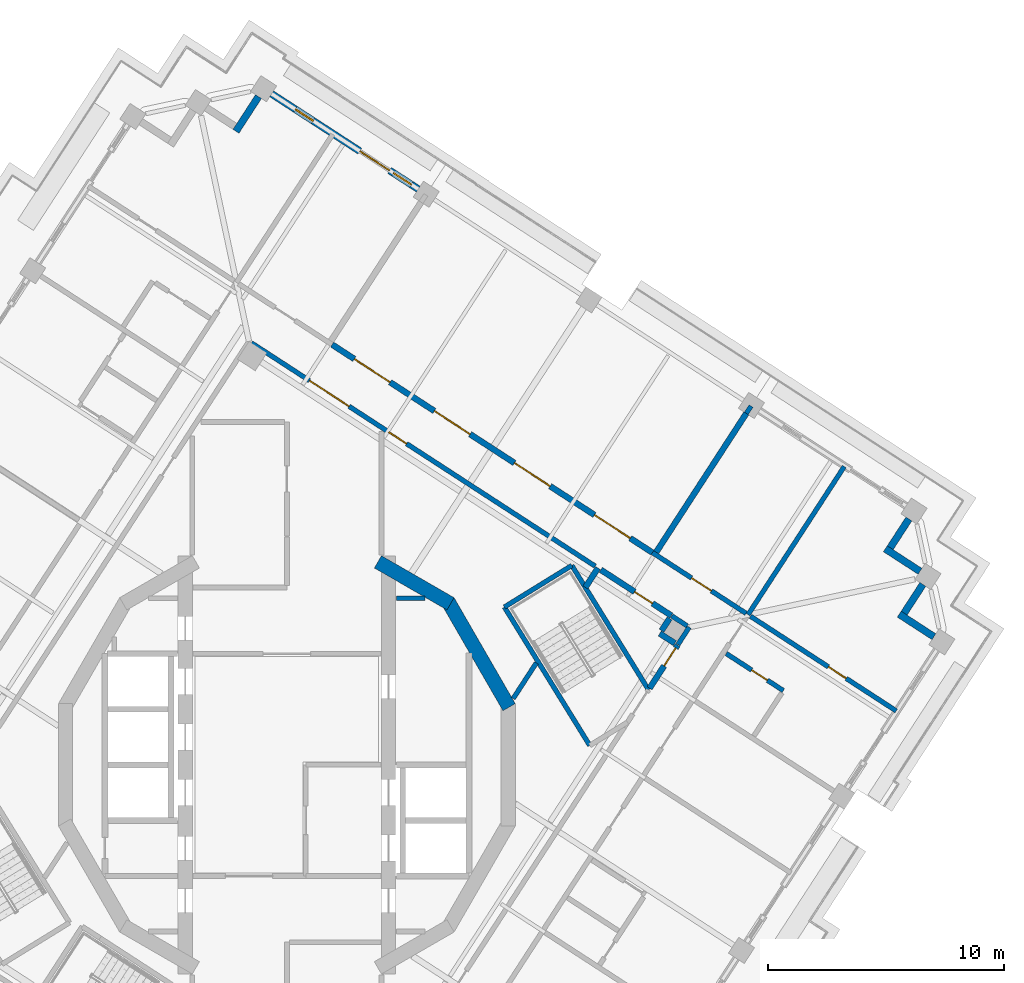
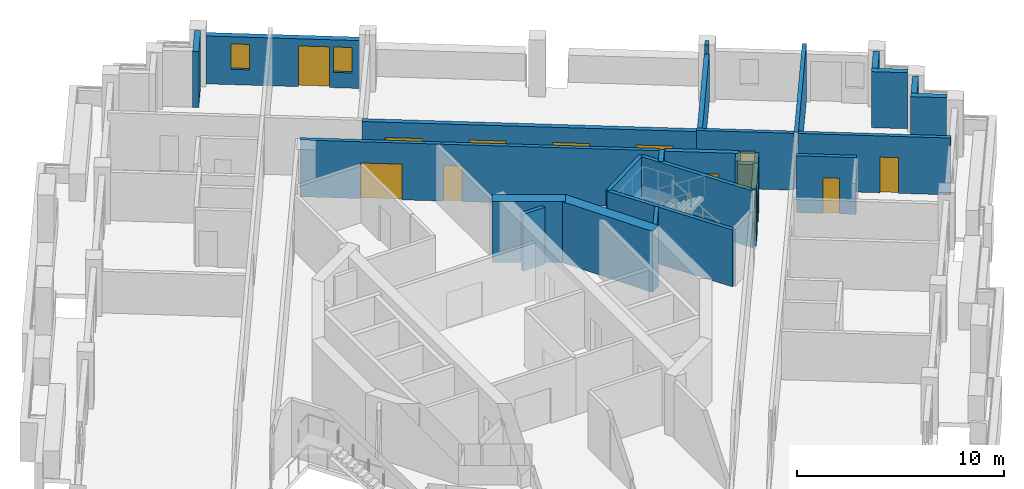
# One storey, part 9 of 15: 28 walls, 12 doors, 2 windows, 14 openings.
"""IFC4 building model written with IfcOpenShell, lengths in metres."""

from ifc_helpers import new_model, si_unit, direction, frame, frame_2d, origin, place, context, subcontext, project, spatial, rectangle, extrude, material, layer, layer_set, type_object, element, fill, save


model = new_model("IFC4")

# Units and contexts
model_context = context("Model", 3, precision=1e-05, world=origin(), true_north=direction((0.0, 1.0)))
body_context = subcontext(model_context, "Body", "Model", "MODEL_VIEW")
ifc_project = project(units=[si_unit("LENGTHUNIT", "METRE"), si_unit("AREAUNIT", "SQUARE_METRE"), si_unit("VOLUMEUNIT", "CUBIC_METRE"), si_unit("PLANEANGLEUNIT", "RADIAN"), si_unit("MASSUNIT", "GRAM", prefix="KILO")], contexts=[model_context])

# Site, building, storey
site_placement = place(None, origin())
site = spatial("IfcSite", under=ifc_project, at=site_placement, CompositionType="ELEMENT")
building_placement = place(site_placement, origin())
building = spatial("IfcBuilding", under=site, at=building_placement, Name="Cantera Rosa Tower", CompositionType="ELEMENT")
storey_placement = place(building_placement, frame((0.0, 0.0, 272.10009765625)))
storey = spatial("IfcBuildingStorey", under=building, at=storey_placement, Name="L61", CompositionType="ELEMENT", Elevation=272.10009765625)

# Wall, openings, doors
ifc_material_1 = material(Name="Gypsum board partition")
ifc_layer_1 = layer(ifc_material_1, 0.199951171875)
ifc_layer_set_1 = layer_set([ifc_layer_1], Name="CORRIDOR WALL 200 H3350")
wall_type_1 = type_object("IfcWallType", Name="CORRIDOR WALL 200 H3350", PredefinedType="PARTITIONING", material=ifc_layer_set_1)
wall_1_placement = place(storey_placement, frame((13.04052734375, 8.4033203125, 0.0), z_axis=(0.0, 0.0, 1.0), x_axis=(-0.838668077111, 0.544642870545, 0.0)))
wall_1 = element("IfcWall", 1, at=wall_1_placement, inside=storey, type_object=wall_type_1, Name="CORRIDOR WALL L61-089", PredefinedType="PARTITIONING", context=body_context, shape_type="SweptSolid", body=[
    extrude(rectangle(XDim=17.340087890625, YDim=0.199951171875, at=frame_2d((8.669921875, 0.0))), origin(), (0.0, 0.0, 1.0), 3.349853515625),
])
opening_1_placement = place(wall_1_placement, frame((9.5107421875, 0.0, 0.0)))
opening_1 = element("IfcOpeningElement", 2, at=opening_1_placement, cuts=wall_1, Name="Opening L61-007", PredefinedType="OPENING", context=body_context, shape_type="SweptSolid", body=[
    extrude(rectangle(XDim=0.89990234375, YDim=2.10009765625, at=frame_2d((0.449951171875, 1.050048828125))), frame((0.0, 0.10986328125, 0.0), z_axis=(0.0, -1.0, 0.0), x_axis=(1.0, 0.0, 0.0)), (0.0, 0.0, 1.0), 0.219970703125),
])
opening_2_placement = place(wall_1_placement, frame((12.409912109375, 0.0, 0.0)))
opening_2 = element("IfcOpeningElement", 3, at=opening_2_placement, cuts=wall_1, Name="Opening L61-008", PredefinedType="OPENING", context=body_context, shape_type="SweptSolid", body=[
    extrude(rectangle(XDim=2.0, YDim=2.10009765625, at=frame_2d((1.0, 1.050048828125))), frame((0.0, 0.10986328125, 0.0), z_axis=(0.0, -1.0, 0.0), x_axis=(1.0, 0.0, 0.0)), (0.0, 0.0, 1.0), 0.219970703125),
])
ifc_material_2 = material(Name="Steel S355J2 (EN 10025-2)", Category="steel")
door_type_1 = type_object("IfcDoorType", Name="LOBBY SCREEN DOOR 2000x2100", OperationType="NOTDEFINED", PredefinedType="DOOR", material=ifc_material_2)
door_1_placement = place(opening_2_placement, origin())
door_1 = element("IfcDoor", 4, at=door_1_placement, inside=storey, type_object=door_type_1, Name="DOOR L61-008", OperationType="NOTDEFINED", OverallHeight=2.10009765625, OverallWidth=2.0, PredefinedType="DOOR", context=body_context, shape_type="SweptSolid", body=[
    extrude(rectangle(XDim=2.0, YDim=2.10009765625, at=frame_2d((1.0, 1.050048828125))), frame((0.0, 0.02490234375, 0.0), z_axis=(0.0, -1.0, 0.0), x_axis=(1.0, 0.0, 0.0)), (0.0, 0.0, 1.0), 0.050048828125),
])
fill(opening_2, door_1)
ifc_material_3 = material(Name="Timber door leaf", Category="wood")
door_type_2 = type_object("IfcDoorType", Name="SERVICE DOOR 900x2100", OperationType="NOTDEFINED", PredefinedType="DOOR", material=ifc_material_3)
door_2_placement = place(opening_1_placement, origin())
door_2 = element("IfcDoor", 5, at=door_2_placement, inside=storey, type_object=door_type_2, Name="DOOR L61-007", OperationType="NOTDEFINED", OverallHeight=2.10009765625, OverallWidth=0.89990234375, PredefinedType="DOOR", context=body_context, shape_type="SweptSolid", body=[
    extrude(rectangle(XDim=0.89990234375, YDim=2.10009765625, at=frame_2d((0.449951171875, 1.050048828125))), frame((0.0, 0.02490234375, 0.0), z_axis=(0.0, -1.0, 0.0), x_axis=(1.0, 0.0, 0.0)), (0.0, 0.0, 1.0), 0.050048828125),
])
fill(opening_1, door_2)

# Walls
wall_2_placement = place(storey_placement, frame((16.53662109375, 5.083740234375, 0.0), z_axis=(0.0, 0.0, 1.0), x_axis=(0.544607977269, 0.838690736264, 0.0)))
element("IfcWall", 6, at=wall_2_placement, inside=storey, type_object=wall_type_1, Name="CORRIDOR WALL L61-099", PredefinedType="PARTITIONING", context=body_context, shape_type="SweptSolid", body=[
    extrude(rectangle(XDim=0.8798828125, YDim=0.199951171875, at=frame_2d((0.43994140625, 0.0))), origin(), (0.0, 0.0, 1.0), 3.349853515625),
])
wall_3_placement = place(storey_placement, frame((16.931884765625, 5.876220703125, 0.0), z_axis=(0.0, 0.0, 1.0), x_axis=(-0.838636669764, 0.544691230082, 0.0)))
element("IfcWall", 7, at=wall_3_placement, inside=storey, type_object=wall_type_1, Name="CORRIDOR WALL L61-100", PredefinedType="PARTITIONING", context=body_context, shape_type="SweptSolid", body=[
    extrude(rectangle(XDim=0.77978515625, YDim=0.199951171875, at=frame_2d((0.389892578125, 0.0))), origin(), (0.0, 0.0, 1.0), 3.349853515625),
])

# Wall, opening, door
wall_4_placement = place(storey_placement, frame((19.422119140625, 6.405517578125, 0.0), z_axis=(0.0, 0.0, 1.0), x_axis=(-0.838698511903, 0.544596002677, 0.0)))
wall_4 = element("IfcWall", 8, at=wall_4_placement, inside=storey, type_object=wall_type_1, Name="CORRIDOR WALL L61-103", PredefinedType="PARTITIONING", context=body_context, shape_type="SweptSolid", body=[
    extrude(rectangle(XDim=4.72509765625, YDim=0.199951171875, at=frame_2d((2.362548828125, 0.0))), origin(), (0.0, 0.0, 1.0), 3.349853515625),
])
opening_3_placement = place(wall_4_placement, frame((1.75, 0.0, 0.0)))
opening_3 = element("IfcOpeningElement", 9, at=opening_3_placement, cuts=wall_4, Name="Opening L61-020", PredefinedType="OPENING", context=body_context, shape_type="SweptSolid", body=[
    extrude(rectangle(XDim=1.0, YDim=2.10009765625, at=frame_2d((0.5, 1.050048828125))), frame((0.0, 0.10986328125, 0.0), z_axis=(0.0, -1.0, 0.0), x_axis=(1.0, 0.0, 0.0)), (0.0, 0.0, 1.0), 0.219970703125),
])
ifc_material_4 = material(Name="Timber door leaf", Category="wood")
door_type_3 = type_object("IfcDoorType", Name="ROOM DOOR 1000x2100", OperationType="NOTDEFINED", PredefinedType="DOOR", material=ifc_material_4)
door_3_placement = place(opening_3_placement, origin())
door_3 = element("IfcDoor", 10, at=door_3_placement, inside=storey, type_object=door_type_3, Name="DOOR L61-020", OperationType="NOTDEFINED", OverallHeight=2.10009765625, OverallWidth=1.0, PredefinedType="DOOR", context=body_context, shape_type="SweptSolid", body=[
    extrude(rectangle(XDim=1.0, YDim=2.10009765625, at=frame_2d((0.5, 1.050048828125))), frame((0.0, 0.02490234375, 0.0), z_axis=(0.0, -1.0, 0.0), x_axis=(1.0, 0.0, 0.0)), (0.0, 0.0, 1.0), 0.050048828125),
])
fill(opening_3, door_3)

# Walls
ifc_material_5 = material(Name="Hollow clay masonry with cantera stone cladding", Category="masonry")
ifc_layer_2 = layer(ifc_material_5, 0.300048828125)
ifc_layer_set_2 = layer_set([ifc_layer_2], Name="EW-LOGGIA 300")
wall_type_2 = type_object("IfcWallType", Name="EW-LOGGIA 300", PredefinedType="SOLIDWALL", material=ifc_layer_set_2)
for number, where, z_axis, x_axis, name in (
    (11, (-1.2001953125, 28.263427734375, 0.0), (0.0, 0.0, 1.0), (-0.54461563776, -0.838685761837, 0.0), "EN-L61-W05a"),
    (12, (27.36669921875, 5.41943359375, 0.0), (0.0, 0.0, 1.0), (-0.838685761837, 0.54461563776, 0.0), "EN-L61-W25a"),
):
    element("IfcWall", number, at=place(storey_placement, frame(where, z_axis=z_axis, x_axis=x_axis)), inside=storey, type_object=wall_type_2, Name=name, PredefinedType="SOLIDWALL", context=body_context, shape_type="SweptSolid", body=[
        extrude(rectangle(XDim=1.75, YDim=0.300048828125, at=frame_2d((0.875, 0.0))), origin(), (0.0, 0.0, 1.0), 3.2998046875),
    ])
wall_5_placement = place(storey_placement, frame((26.1064453125, 6.41650390625, 0.0), z_axis=(0.0, 0.0, 1.0), x_axis=(0.54467465438, 0.838647435384, 0.0)))
element("IfcWall", 13, at=wall_5_placement, inside=storey, type_object=wall_type_2, Name="EN-L61-W25b", PredefinedType="SOLIDWALL", context=body_context, shape_type="SweptSolid", body=[
    extrude(rectangle(XDim=1.449951171875, YDim=0.300048828125, at=frame_2d((0.72509765625, 0.0))), origin(), (0.0, 0.0, 1.0), 3.2998046875),
])
wall_6_placement = place(storey_placement, frame((26.778564453125, 8.18603515625, 0.0), z_axis=(0.0, 0.0, 1.0), x_axis=(-0.838685761837, 0.54461563776, 0.0)))
element("IfcWall", 14, at=wall_6_placement, inside=storey, type_object=wall_type_2, Name="EN-L61-W26a", PredefinedType="SOLIDWALL", context=body_context, shape_type="SweptSolid", body=[
    extrude(rectangle(XDim=1.75, YDim=0.300048828125, at=frame_2d((0.875, 0.0))), origin(), (0.0, 0.0, 1.0), 3.2998046875),
])
wall_7_placement = place(storey_placement, frame((25.518310546875, 9.18310546875, 0.0), z_axis=(0.0, 0.0, 1.0), x_axis=(0.54467465438, 0.838647435384, 0.0)))
element("IfcWall", 15, at=wall_7_placement, inside=storey, type_object=wall_type_2, Name="EN-L61-W26b", PredefinedType="SOLIDWALL", context=body_context, shape_type="SweptSolid", body=[
    extrude(rectangle(XDim=1.449951171875, YDim=0.300048828125, at=frame_2d((0.72509765625, 0.0))), origin(), (0.0, 0.0, 1.0), 3.2998046875),
])

# Wall, openings, windows, door
ifc_material_6 = material(Name="Hollow clay masonry with cantera stone cladding", Category="masonry")
ifc_layer_3 = layer(ifc_material_6, 0.300048828125)
ifc_layer_set_3 = layer_set([ifc_layer_3], Name="EW-LOGGIA 300 H2820")
wall_type_3 = type_object("IfcWallType", Name="EW-LOGGIA 300 H2820", PredefinedType="SOLIDWALL", material=ifc_layer_set_3)
wall_8_placement = place(storey_placement, frame((5.559326171875, 24.350830078125, 0.0), z_axis=(0.0, 0.0, 1.0), x_axis=(-0.838679465365, 0.544625333946, 0.0)))
wall_8 = element("IfcWall", 16, at=wall_8_placement, inside=storey, type_object=wall_type_3, Name="EN-L61-W04", PredefinedType="SOLIDWALL", context=body_context, shape_type="SweptSolid", body=[
    extrude(rectangle(XDim=7.400146484375, YDim=0.300048828125, at=frame_2d((3.7001953125, 0.0))), origin(), (0.0, 0.0, 1.0), 2.81982421875),
])
opening_4_placement = place(wall_8_placement, frame((0.35009765625, 0.0, 0.89990234375)))
opening_4 = element("IfcOpeningElement", 17, at=opening_4_placement, cuts=wall_8, Name="Opening L61-W04", PredefinedType="OPENING", context=body_context, shape_type="SweptSolid", body=[
    extrude(rectangle(XDim=0.89990234375, YDim=1.5, at=frame_2d((0.449951171875, 0.75))), frame((0.0, 0.159912109375, 0.0), z_axis=(0.0, -1.0, 0.0), x_axis=(1.0, 0.0, 0.0)), (0.0, 0.0, 1.0), 0.320068359375),
])
opening_5_placement = place(wall_8_placement, frame((1.449951171875, 0.0, 0.0)))
opening_5 = element("IfcOpeningElement", 18, at=opening_5_placement, cuts=wall_8, Name="Opening L61-TD05", PredefinedType="OPENING", context=body_context, shape_type="SweptSolid", body=[
    extrude(rectangle(XDim=1.5, YDim=2.39990234375, at=frame_2d((0.75, 1.199951171875))), frame((0.0, 0.159912109375, 0.0), z_axis=(0.0, -1.0, 0.0), x_axis=(1.0, 0.0, 0.0)), (0.0, 0.0, 1.0), 0.320068359375),
])
opening_6_placement = place(wall_8_placement, frame((5.300048828125, 0.0, 0.89990234375)))
opening_6 = element("IfcOpeningElement", 19, at=opening_6_placement, cuts=wall_8, Name="Opening L61-W06", PredefinedType="OPENING", context=body_context, shape_type="SweptSolid", body=[
    extrude(rectangle(XDim=0.89990234375, YDim=1.5, at=frame_2d((0.449951171875, 0.75))), frame((0.0, 0.159912109375, 0.0), z_axis=(0.0, -1.0, 0.0), x_axis=(1.0, 0.0, 0.0)), (0.0, 0.0, 1.0), 0.320068359375),
])
ifc_material_7 = material(Name="Aluminium frame with clear glass", Category="aluminium")
window_type = type_object("IfcWindowType", Name="Residential window 900x1500", PartitioningType="SINGLE_PANEL", PredefinedType="WINDOW", material=ifc_material_7)
window_1_placement = place(opening_4_placement, origin())
window_1 = element("IfcWindow", 20, at=window_1_placement, inside=storey, type_object=window_type, Name="WINDOW L61-W04", OverallHeight=1.5, OverallWidth=0.89990234375, PartitioningType="SINGLE_PANEL", PredefinedType="WINDOW", context=body_context, shape_type="SweptSolid", body=[
    extrude(rectangle(XDim=0.89990234375, YDim=1.5, at=frame_2d((0.449951171875, 0.75))), frame((0.0, 0.030029296875, 0.0), z_axis=(0.0, -1.0, 0.0), x_axis=(1.0, 0.0, 0.0)), (0.0, 0.0, 1.0), 0.06005859375),
])
fill(opening_4, window_1)
window_2_placement = place(opening_6_placement, origin())
window_2 = element("IfcWindow", 21, at=window_2_placement, inside=storey, type_object=window_type, Name="WINDOW L61-W06", OverallHeight=1.5, OverallWidth=0.89990234375, PartitioningType="SINGLE_PANEL", PredefinedType="WINDOW", context=body_context, shape_type="SweptSolid", body=[
    extrude(rectangle(XDim=0.89990234375, YDim=1.5, at=frame_2d((0.449951171875, 0.75))), frame((0.0, 0.030029296875, 0.0), z_axis=(0.0, -1.0, 0.0), x_axis=(1.0, 0.0, 0.0)), (0.0, 0.0, 1.0), 0.06005859375),
])
fill(opening_6, window_2)
ifc_material_8 = material(Name="Aluminium frame with clear glass", Category="aluminium")
door_type_4 = type_object("IfcDoorType", Name="TD-R 1500x2400", OperationType="NOTDEFINED", PredefinedType="DOOR", material=ifc_material_8)
door_4_placement = place(opening_5_placement, origin())
door_4 = element("IfcDoor", 22, at=door_4_placement, inside=storey, type_object=door_type_4, Name="LOGGIA DOOR L61-TD05", OperationType="SLIDING_TO_LEFT", OverallHeight=2.39990234375, OverallWidth=1.5, PredefinedType="DOOR", context=body_context, shape_type="SweptSolid", body=[
    extrude(rectangle(XDim=1.5, YDim=2.39990234375, at=frame_2d((0.75, 1.199951171875))), frame((0.0, 0.02490234375, 0.0), z_axis=(0.0, -1.0, 0.0), x_axis=(1.0, 0.0, 0.0)), (0.0, 0.0, 1.0), 0.050048828125),
])
fill(opening_5, door_4)

# Wall
ifc_material_9 = material(Name="Concrete C40/50", Category="concrete")
ifc_layer_4 = layer(ifc_material_9, 0.25)
ifc_layer_set_4 = layer_set([ifc_layer_4], Name="EW-POCKET CHEEK 250 H2820")
wall_type_4 = type_object("IfcWallType", Name="EW-POCKET CHEEK 250 H2820", PredefinedType="SOLIDWALL", material=ifc_layer_set_4)
wall_9_placement = place(storey_placement, frame((19.430908203125, 14.865234375, 0.0), z_axis=(0.0, 0.0, 1.0), x_axis=(-0.544622966657, -0.83868100264, 0.0)))
element("IfcWall", 23, at=wall_9_placement, inside=storey, type_object=wall_type_4, Name="POCKET CHEEK A L61", PredefinedType="SOLIDWALL", context=body_context, shape_type="SweptSolid", body=[
    extrude(rectangle(XDim=6.999755859375, YDim=0.25, at=frame_2d((3.5, 0.0))), origin(), (0.0, 0.0, 1.0), 2.81982421875),
])

# Wall, openings, doors
ifc_material_10 = material(Name="Hollow clay masonry with cantera stone cladding", Category="masonry")
ifc_layer_5 = layer(ifc_material_10, 0.25)
ifc_layer_set_5 = layer_set([ifc_layer_5], Name="EW-POCKET REAR 250")
wall_type_5 = type_object("IfcWallType", Name="EW-POCKET REAR 250", PredefinedType="SOLIDWALL", material=ifc_layer_set_5)
wall_10_placement = place(storey_placement, frame((15.459228515625, 8.978759765625, 0.0), z_axis=(0.0, 0.0, 1.0), x_axis=(-0.838669424841, 0.544640795237, 0.0)))
wall_10 = element("IfcWall", 24, at=wall_10_placement, inside=storey, type_object=wall_type_5, Name="POCKET REAR L61", PredefinedType="SOLIDWALL", context=body_context, shape_type="SweptSolid", body=[
    extrude(rectangle(XDim=16.14990234375, YDim=0.25, at=frame_2d((8.074951171875, 0.0))), origin(), (0.0, 0.0, 1.0), 3.2998046875),
])
opening_7_placement = place(wall_10_placement, frame((1.11865234375, 0.0, 0.0)))
opening_7 = element("IfcOpeningElement", 25, at=opening_7_placement, cuts=wall_10, Name="Opening L61-LT01", PredefinedType="OPENING", context=body_context, shape_type="SweptSolid", body=[
    extrude(rectangle(XDim=1.800048828125, YDim=2.39990234375, at=frame_2d((0.89990234375, 1.199951171875))), frame((0.0, 0.135009765625, 0.0), z_axis=(0.0, -1.0, 0.0), x_axis=(1.0, 0.0, 0.0)), (0.0, 0.0, 1.0), 0.27001953125),
])
opening_8_placement = place(wall_10_placement, frame((5.15625, 0.0, 0.0)))
opening_8 = element("IfcOpeningElement", 26, at=opening_8_placement, cuts=wall_10, Name="Opening L61-LT02", PredefinedType="OPENING", context=body_context, shape_type="SweptSolid", body=[
    extrude(rectangle(XDim=1.800048828125, YDim=2.39990234375, at=frame_2d((0.89990234375, 1.199951171875))), frame((0.0, 0.135009765625, 0.0), z_axis=(0.0, -1.0, 0.0), x_axis=(1.0, 0.0, 0.0)), (0.0, 0.0, 1.0), 0.27001953125),
])
opening_9_placement = place(wall_10_placement, frame((9.19384765625, 0.0, 0.0)))
opening_9 = element("IfcOpeningElement", 27, at=opening_9_placement, cuts=wall_10, Name="Opening L61-LT03", PredefinedType="OPENING", context=body_context, shape_type="SweptSolid", body=[
    extrude(rectangle(XDim=1.800048828125, YDim=2.39990234375, at=frame_2d((0.89990234375, 1.199951171875))), frame((0.0, 0.135009765625, 0.0), z_axis=(0.0, -1.0, 0.0), x_axis=(1.0, 0.0, 0.0)), (0.0, 0.0, 1.0), 0.27001953125),
])
opening_10_placement = place(wall_10_placement, frame((13.231201171875, 0.0, 0.0)))
opening_10 = element("IfcOpeningElement", 28, at=opening_10_placement, cuts=wall_10, Name="Opening L61-LT04", PredefinedType="OPENING", context=body_context, shape_type="SweptSolid", body=[
    extrude(rectangle(XDim=1.800048828125, YDim=2.39990234375, at=frame_2d((0.89990234375, 1.199951171875))), frame((0.0, 0.135009765625, 0.0), z_axis=(0.0, -1.0, 0.0), x_axis=(1.0, 0.0, 0.0)), (0.0, 0.0, 1.0), 0.27001953125),
])
ifc_material_11 = material(Name="Aluminium frame with clear glass", Category="aluminium")
door_type_5 = type_object("IfcDoorType", Name="TD-T 1800x2400", OperationType="NOTDEFINED", PredefinedType="DOOR", material=ifc_material_11)
door_5_placement = place(opening_7_placement, origin())
door_5 = element("IfcDoor", 29, at=door_5_placement, inside=storey, type_object=door_type_5, Name="TERRACE DOOR L61-LT01", OperationType="DOUBLE_DOOR_SINGLE_SWING", OverallHeight=2.39990234375, OverallWidth=1.800048828125, PredefinedType="DOOR", context=body_context, shape_type="SweptSolid", body=[
    extrude(rectangle(XDim=1.800048828125, YDim=2.39990234375, at=frame_2d((0.89990234375, 1.199951171875))), frame((0.0, 0.02490234375, 0.0), z_axis=(0.0, -1.0, 0.0), x_axis=(1.0, 0.0, 0.0)), (0.0, 0.0, 1.0), 0.050048828125),
])
fill(opening_7, door_5)
door_6_placement = place(opening_8_placement, origin())
door_6 = element("IfcDoor", 30, at=door_6_placement, inside=storey, type_object=door_type_5, Name="TERRACE DOOR L61-LT02", OperationType="DOUBLE_DOOR_SINGLE_SWING", OverallHeight=2.39990234375, OverallWidth=1.800048828125, PredefinedType="DOOR", context=body_context, shape_type="SweptSolid", body=[
    extrude(rectangle(XDim=1.800048828125, YDim=2.39990234375, at=frame_2d((0.89990234375, 1.199951171875))), frame((0.0, 0.02490234375, 0.0), z_axis=(0.0, -1.0, 0.0), x_axis=(1.0, 0.0, 0.0)), (0.0, 0.0, 1.0), 0.050048828125),
])
fill(opening_8, door_6)
door_7_placement = place(opening_9_placement, origin())
door_7 = element("IfcDoor", 31, at=door_7_placement, inside=storey, type_object=door_type_5, Name="TERRACE DOOR L61-LT03", OperationType="DOUBLE_DOOR_SINGLE_SWING", OverallHeight=2.39990234375, OverallWidth=1.800048828125, PredefinedType="DOOR", context=body_context, shape_type="SweptSolid", body=[
    extrude(rectangle(XDim=1.800048828125, YDim=2.39990234375, at=frame_2d((0.89990234375, 1.199951171875))), frame((0.0, 0.02490234375, 0.0), z_axis=(0.0, -1.0, 0.0), x_axis=(1.0, 0.0, 0.0)), (0.0, 0.0, 1.0), 0.050048828125),
])
fill(opening_9, door_7)
door_8_placement = place(opening_10_placement, origin())
door_8 = element("IfcDoor", 32, at=door_8_placement, inside=storey, type_object=door_type_5, Name="TERRACE DOOR L61-LT04", OperationType="DOUBLE_DOOR_SINGLE_SWING", OverallHeight=2.39990234375, OverallWidth=1.800048828125, PredefinedType="DOOR", context=body_context, shape_type="SweptSolid", body=[
    extrude(rectangle(XDim=1.800048828125, YDim=2.39990234375, at=frame_2d((0.89990234375, 1.199951171875))), frame((0.0, 0.02490234375, 0.0), z_axis=(0.0, -1.0, 0.0), x_axis=(1.0, 0.0, 0.0)), (0.0, 0.0, 1.0), 0.050048828125),
])
fill(opening_10, door_8)

# Walls
ifc_material_12 = material(Name="Gypsum board partition")
ifc_layer_6 = layer(ifc_material_12, 0.199951171875)
ifc_layer_set_6 = layer_set([ifc_layer_6], Name="PARTITION 200 H3350")
wall_type_6 = type_object("IfcWallType", Name="PARTITION 200 H3350", PredefinedType="PARTITIONING", material=ifc_layer_set_6)
wall_11_placement = place(storey_placement, frame((4.6298828125, 7.050048828125, 0.0), z_axis=(0.0, 0.0, 1.0), x_axis=(1.0, 0.0, 0.0)))
element("IfcWall", 33, at=wall_11_placement, inside=storey, type_object=wall_type_6, Name="PARTITION L61-071", PredefinedType="PARTITIONING", context=body_context, shape_type="SweptSolid", body=[
    extrude(rectangle(XDim=1.2177734375, YDim=0.199951171875, at=frame_2d((0.60888671875, 0.0))), origin(), (0.0, 0.0, 1.0), 3.349853515625),
])
wall_12_placement = place(storey_placement, frame((9.5703125, 2.802490234375, 0.0), z_axis=(0.0, 0.0, 1.0), x_axis=(0.544578176642, 0.838710086696, 0.0)))
element("IfcWall", 34, at=wall_12_placement, inside=storey, type_object=wall_type_6, Name="PARTITION L61-081", PredefinedType="PARTITIONING", context=body_context, shape_type="SweptSolid", body=[
    extrude(rectangle(XDim=1.799560546875, YDim=0.199951171875, at=frame_2d((0.89990234375, 0.0))), origin(), (0.0, 0.0, 1.0), 3.349853515625),
])
wall_13_placement = place(storey_placement, frame((19.430908203125, 14.865234375, 0.0), z_axis=(0.0, 0.0, 1.0), x_axis=(0.544918783731, 0.838488830657, 0.0)))
element("IfcWall", 35, at=wall_13_placement, inside=storey, type_object=wall_type_6, Name="PARTITION L61-095", PredefinedType="PARTITIONING", context=body_context, shape_type="SweptSolid", body=[
    extrude(rectangle(XDim=0.3701171875, YDim=0.199951171875, at=frame_2d((0.18505859375, 0.0))), origin(), (0.0, 0.0, 1.0), 3.349853515625),
])

# Wall, opening, door
wall_14_placement = place(storey_placement, frame((18.58251953125, 4.708984375, 0.0), z_axis=(0.0, 0.0, 1.0), x_axis=(0.838654665308, -0.544663522147, 0.0)))
wall_14 = element("IfcWall", 36, at=wall_14_placement, inside=storey, type_object=wall_type_6, Name="PARTITION L61-102", PredefinedType="PARTITIONING", context=body_context, shape_type="SweptSolid", body=[
    extrude(rectangle(XDim=2.8798828125, YDim=0.199951171875, at=frame_2d((1.43994140625, 0.0))), origin(), (0.0, 0.0, 1.0), 3.349853515625),
])
opening_11_placement = place(wall_14_placement, frame((1.280029296875, 0.0, 0.0)))
opening_11 = element("IfcOpeningElement", 37, at=opening_11_placement, cuts=wall_14, Name="Opening L61-049", PredefinedType="OPENING", context=body_context, shape_type="SweptSolid", body=[
    extrude(rectangle(XDim=0.800048828125, YDim=2.10009765625, at=frame_2d((0.39990234375, 1.050048828125))), frame((0.0, 0.10986328125, 0.0), z_axis=(0.0, -1.0, 0.0), x_axis=(1.0, 0.0, 0.0)), (0.0, 0.0, 1.0), 0.219970703125),
])
ifc_material_13 = material(Name="Timber door leaf", Category="wood")
door_type_6 = type_object("IfcDoorType", Name="BATHROOM DOOR 800x2100", OperationType="NOTDEFINED", PredefinedType="DOOR", material=ifc_material_13)
door_9_placement = place(opening_11_placement, origin())
door_9 = element("IfcDoor", 38, at=door_9_placement, inside=storey, type_object=door_type_6, Name="DOOR L61-049", OperationType="NOTDEFINED", OverallHeight=2.10009765625, OverallWidth=0.800048828125, PredefinedType="DOOR", context=body_context, shape_type="SweptSolid", body=[
    extrude(rectangle(XDim=0.800048828125, YDim=2.10009765625, at=frame_2d((0.39990234375, 1.050048828125))), frame((0.0, 0.02490234375, 0.0), z_axis=(0.0, -1.0, 0.0), x_axis=(1.0, 0.0, 0.0)), (0.0, 0.0, 1.0), 0.050048828125),
])
fill(opening_11, door_9)

wall_15_placement = place(storey_placement, frame((25.770751953125, 2.282470703125, 0.0), z_axis=(0.0, 0.0, 1.0), x_axis=(-0.838668934217, 0.544641550729, 0.0)))
wall_15 = element("IfcWall", 39, at=wall_15_placement, inside=storey, type_object=wall_type_6, Name="PARTITION L61-107", PredefinedType="PARTITIONING", context=body_context, shape_type="SweptSolid", body=[
    extrude(rectangle(XDim=7.35009765625, YDim=0.199951171875, at=frame_2d((3.675048828125, 0.0))), origin(), (0.0, 0.0, 1.0), 3.349853515625),
])
opening_12_placement = place(wall_15_placement, frame((2.52001953125, 0.0, 0.0)))
opening_12 = element("IfcOpeningElement", 40, at=opening_12_placement, cuts=wall_15, Name="Opening L61-050", PredefinedType="OPENING", context=body_context, shape_type="SweptSolid", body=[
    extrude(rectangle(XDim=0.89990234375, YDim=2.10009765625, at=frame_2d((0.449951171875, 1.050048828125))), frame((0.0, 0.10986328125, 0.0), z_axis=(0.0, -1.0, 0.0), x_axis=(1.0, 0.0, 0.0)), (0.0, 0.0, 1.0), 0.219970703125),
])
ifc_material_14 = material(Name="Timber door leaf", Category="wood")
door_type_7 = type_object("IfcDoorType", Name="ROOM DOOR 900x2100", OperationType="NOTDEFINED", PredefinedType="DOOR", material=ifc_material_14)
door_10_placement = place(opening_12_placement, origin())
door_10 = element("IfcDoor", 41, at=door_10_placement, inside=storey, type_object=door_type_7, Name="DOOR L61-050", OperationType="NOTDEFINED", OverallHeight=2.10009765625, OverallWidth=0.89990234375, PredefinedType="DOOR", context=body_context, shape_type="SweptSolid", body=[
    extrude(rectangle(XDim=0.89990234375, YDim=2.10009765625, at=frame_2d((0.449951171875, 1.050048828125))), frame((0.0, 0.02490234375, 0.0), z_axis=(0.0, -1.0, 0.0), x_axis=(1.0, 0.0, 0.0)), (0.0, 0.0, 1.0), 0.050048828125),
])
fill(opening_12, door_10)

# Walls
ifc_material_15 = material(Name="Gypsum board partition")
ifc_layer_7 = layer(ifc_material_15, 0.199951171875)
ifc_layer_set_7 = layer_set([ifc_layer_7], Name="PARTY WALL 200 H3350")
wall_type_7 = type_object("IfcWallType", Name="PARTY WALL 200 H3350", PredefinedType="PARTITIONING", material=ifc_layer_set_7)
wall_16_placement = place(storey_placement, frame((23.57421875, 12.61572265625, 0.0), z_axis=(0.0, 0.0, 1.0), x_axis=(-0.544643659397, -0.838667564818, 0.0)))
element("IfcWall", 42, at=wall_16_placement, inside=storey, type_object=wall_type_7, Name="PARTY WALL L61-106", PredefinedType="PARTITIONING", context=body_context, shape_type="SweptSolid", body=[
    extrude(rectangle(XDim=7.4697265625, YDim=0.199951171875, at=frame_2d((3.73486328125, 0.0))), origin(), (0.0, 0.0, 1.0), 3.349853515625),
])
ifc_material_16 = material(Name="Concrete C50/60", Category="concrete")
ifc_layer_8 = layer(ifc_material_16, 0.60009765625)
ifc_layer_set_8 = layer_set([ifc_layer_8], Name="RC CORE WALL 600 C50/60")
wall_type_8 = type_object("IfcWallType", Name="RC CORE WALL 600 C50/60", PredefinedType="SHEAR", material=ifc_layer_set_8)
wall_17_placement = place(storey_placement, frame((3.85009765625, 8.584228515625, 0.0), z_axis=(0.0, 0.0, 1.0), x_axis=(0.866039982607, -0.499974747889, 0.0)))
element("IfcWall", 43, at=wall_17_placement, inside=storey, type_object=wall_type_8, Name="CW-E1 L61", PredefinedType="SHEAR", context=body_context, shape_type="SweptSolid", body=[
    extrude(rectangle(XDim=3.546142578125, YDim=0.60009765625, at=frame_2d((1.77294921875, 0.0))), origin(), (0.0, 0.0, 1.0), 3.599853515625),
])
wall_18_placement = place(storey_placement, frame((6.811279296875, 6.921142578125, 0.0), z_axis=(0.0, 0.0, 1.0), x_axis=(0.499989188378, -0.866031645787, 0.0)))
element("IfcWall", 44, at=wall_18_placement, inside=storey, type_object=wall_type_8, Name="CW-E2 L61", PredefinedType="SHEAR", context=body_context, shape_type="SweptSolid", body=[
    extrude(rectangle(XDim=5.17626953125, YDim=0.60009765625, at=frame_2d((2.588134765625, 0.0))), origin(), (0.0, 0.0, 1.0), 3.599853515625),
])
ifc_material_17 = material(Name="Masonry blockwork", Category="masonry")
ifc_layer_9 = layer(ifc_material_17, 0.25)
ifc_layer_set_9 = layer_set([ifc_layer_9], Name="SHAFT WALL 250 H3350")
wall_type_9 = type_object("IfcWallType", Name="SHAFT WALL 250 H3350", PredefinedType="SOLIDWALL", material=ifc_layer_set_9)
wall_19_placement = place(storey_placement, frame((12.62353515625, 7.50390625, 0.0), z_axis=(0.0, 0.0, 1.0), x_axis=(0.544612261158, 0.838687954484, 0.0)))
element("IfcWall", 45, at=wall_19_placement, inside=storey, type_object=wall_type_9, Name="SHAFT WALL L61-086", PredefinedType="SOLIDWALL", context=body_context, shape_type="SweptSolid", body=[
    extrude(rectangle(XDim=0.981201171875, YDim=0.25, at=frame_2d((0.49072265625, 0.0))), origin(), (0.0, 0.0, 1.0), 3.349853515625),
])

# Wall, opening, door
wall_20_placement = place(storey_placement, frame((15.3408203125, 3.2421875, 0.0), z_axis=(0.0, 0.0, 1.0), x_axis=(0.5445859656, 0.838705029239, 0.0)))
wall_20 = element("IfcWall", 46, at=wall_20_placement, inside=storey, type_object=wall_type_9, Name="SHAFT WALL L61-094", PredefinedType="SOLIDWALL", context=body_context, shape_type="SweptSolid", body=[
    extrude(rectangle(XDim=2.175537109375, YDim=0.25, at=frame_2d((1.087890625, 0.0))), origin(), (0.0, 0.0, 1.0), 3.349853515625),
])
opening_13_placement = place(wall_20_placement, frame((1.125244140625, 0.0, 0.0)))
opening_13 = element("IfcOpeningElement", 47, at=opening_13_placement, cuts=wall_20, Name="Opening L61-006", PredefinedType="OPENING", context=body_context, shape_type="SweptSolid", body=[
    extrude(rectangle(XDim=0.89990234375, YDim=2.10009765625, at=frame_2d((0.449951171875, 1.050048828125))), frame((0.0, 0.135009765625, 0.0), z_axis=(0.0, -1.0, 0.0), x_axis=(1.0, 0.0, 0.0)), (0.0, 0.0, 1.0), 0.27001953125),
])
door_11_placement = place(opening_13_placement, origin())
door_11 = element("IfcDoor", 48, at=door_11_placement, inside=storey, type_object=door_type_2, Name="RISER DOOR L61-006", OperationType="NOTDEFINED", OverallHeight=2.10009765625, OverallWidth=0.89990234375, PredefinedType="DOOR", context=body_context, shape_type="SweptSolid", body=[
    extrude(rectangle(XDim=0.89990234375, YDim=2.10009765625, at=frame_2d((0.449951171875, 1.050048828125))), frame((0.0, 0.02490234375, 0.0), z_axis=(0.0, -1.0, 0.0), x_axis=(1.0, 0.0, 0.0)), (0.0, 0.0, 1.0), 0.050048828125),
])
fill(opening_13, door_11)

# Wall
wall_21_placement = place(storey_placement, frame((15.77099609375, 5.55712890625, 0.0), z_axis=(0.0, 0.0, 1.0), x_axis=(0.838517009777, -0.544875420913, 0.0)))
element("IfcWall", 49, at=wall_21_placement, inside=storey, type_object=wall_type_9, Name="SHAFT WALL L61-096", PredefinedType="SOLIDWALL", context=body_context, shape_type="SweptSolid", body=[
    extrude(rectangle(XDim=0.760009765625, YDim=0.25, at=frame_2d((0.3798828125, 0.0))), origin(), (0.0, 0.0, 1.0), 3.349853515625),
])

# Wall, opening, door
wall_22_placement = place(storey_placement, frame((16.260986328125, 6.31201171875, 0.0), z_axis=(0.0, 0.0, 1.0), x_axis=(-0.83868953423, 0.544609828385, 0.0)))
wall_22 = element("IfcWall", 50, at=wall_22_placement, inside=storey, type_object=wall_type_9, Name="SHAFT WALL L61-097", PredefinedType="SOLIDWALL", context=body_context, shape_type="SweptSolid", body=[
    extrude(rectangle(XDim=3.559814453125, YDim=0.25, at=frame_2d((1.77978515625, 0.0))), origin(), (0.0, 0.0, 1.0), 3.349853515625),
])
opening_14_placement = place(wall_22_placement, frame((0.949951171875, 0.0, 0.0)))
opening_14 = element("IfcOpeningElement", 51, at=opening_14_placement, cuts=wall_22, Name="Opening L61-052", PredefinedType="OPENING", context=body_context, shape_type="SweptSolid", body=[
    extrude(rectangle(XDim=0.89990234375, YDim=2.10009765625, at=frame_2d((0.449951171875, 1.050048828125))), frame((0.0, 0.135009765625, 0.0), z_axis=(0.0, -1.0, 0.0), x_axis=(1.0, 0.0, 0.0)), (0.0, 0.0, 1.0), 0.27001953125),
])
door_12_placement = place(opening_14_placement, origin())
door_12 = element("IfcDoor", 52, at=door_12_placement, inside=storey, type_object=door_type_2, Name="RISER DOOR L61-052", OperationType="NOTDEFINED", OverallHeight=2.10009765625, OverallWidth=0.89990234375, PredefinedType="DOOR", context=body_context, shape_type="SweptSolid", body=[
    extrude(rectangle(XDim=0.89990234375, YDim=2.10009765625, at=frame_2d((0.449951171875, 1.050048828125))), frame((0.0, 0.02490234375, 0.0), z_axis=(0.0, -1.0, 0.0), x_axis=(1.0, 0.0, 0.0)), (0.0, 0.0, 1.0), 0.050048828125),
])
fill(opening_14, door_12)

# Walls
wall_23_placement = place(storey_placement, frame((16.184814453125, 6.194580078125, 0.0), z_axis=(0.0, 0.0, 1.0), x_axis=(-0.544573068835, -0.838713403195, 0.0)))
element("IfcWall", 53, at=wall_23_placement, inside=storey, type_object=wall_type_9, Name="SHAFT WALL L61-098", PredefinedType="SOLIDWALL", context=body_context, shape_type="SweptSolid", body=[
    extrude(rectangle(XDim=0.6201171875, YDim=0.25, at=frame_2d((0.31005859375, 0.0))), origin(), (0.0, 0.0, 1.0), 3.349853515625),
])
ifc_material_18 = material(Name="Concrete C50/60", Category="concrete")
ifc_layer_10 = layer(ifc_material_18, 0.199951171875)
ifc_layer_set_10 = layer_set([ifc_layer_10], Name="STAIR WALL 200 H3350")
wall_type_10 = type_object("IfcWallType", Name="STAIR WALL 200 H3350", PredefinedType="SOLIDWALL", material=ifc_layer_set_10)
wall_24_placement = place(storey_placement, frame((9.199462890625, 6.674072265625, 0.0), z_axis=(0.0, 0.0, 1.0), x_axis=(0.524972254536, -0.851119340614, 0.0)))
element("IfcWall", 54, at=wall_24_placement, inside=storey, type_object=wall_type_10, Name="STAIR WALL L61-080", PredefinedType="SOLIDWALL", context=body_context, shape_type="SweptSolid", body=[
    extrude(rectangle(XDim=6.880126953125, YDim=0.199951171875, at=frame_2d((3.43994140625, 0.0))), origin(), (0.0, 0.0, 1.0), 3.349853515625),
])
wall_25_placement = place(storey_placement, frame((12.05078125, 8.4326171875, 0.0), z_axis=(0.0, 0.0, 1.0), x_axis=(-0.85113993661, -0.524938861495, 0.0)))
element("IfcWall", 55, at=wall_25_placement, inside=storey, type_object=wall_type_10, Name="STAIR WALL L61-085", PredefinedType="SOLIDWALL", context=body_context, shape_type="SweptSolid", body=[
    extrude(rectangle(XDim=3.35009765625, YDim=0.199951171875, at=frame_2d((1.675048828125, 0.0))), origin(), (0.0, 0.0, 1.0), 3.349853515625),
])
wall_26_placement = place(storey_placement, frame((15.29541015625, 3.17236328125, 0.0), z_axis=(0.0, 0.0, 1.0), x_axis=(-0.524983142341, 0.851112624896, 0.0)))
element("IfcWall", 56, at=wall_26_placement, inside=storey, type_object=wall_type_10, Name="STAIR WALL L61-093", PredefinedType="SOLIDWALL", context=body_context, shape_type="SweptSolid", body=[
    extrude(rectangle(XDim=6.180419921875, YDim=0.199951171875, at=frame_2d((3.09033203125, 0.0))), origin(), (0.0, 0.0, 1.0), 3.349853515625),
])

save(model, "model.ifc")
